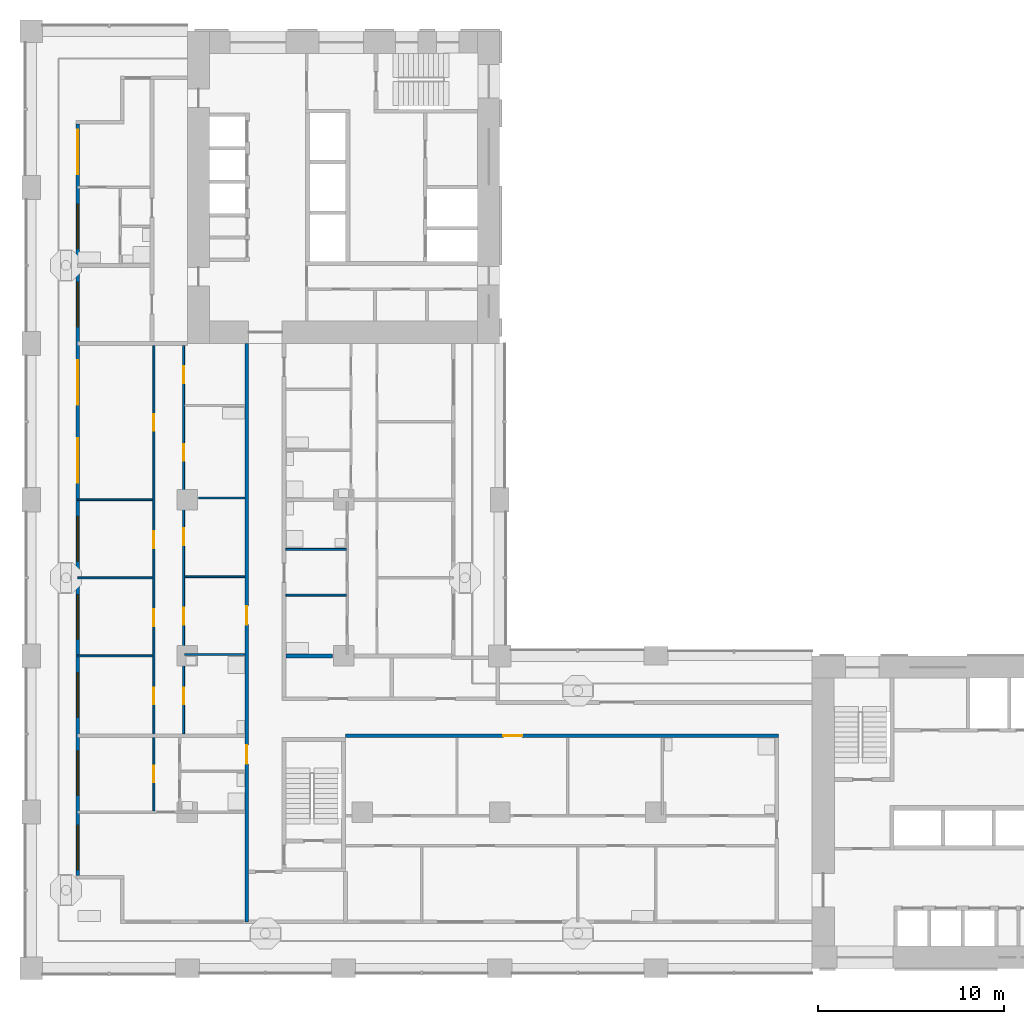
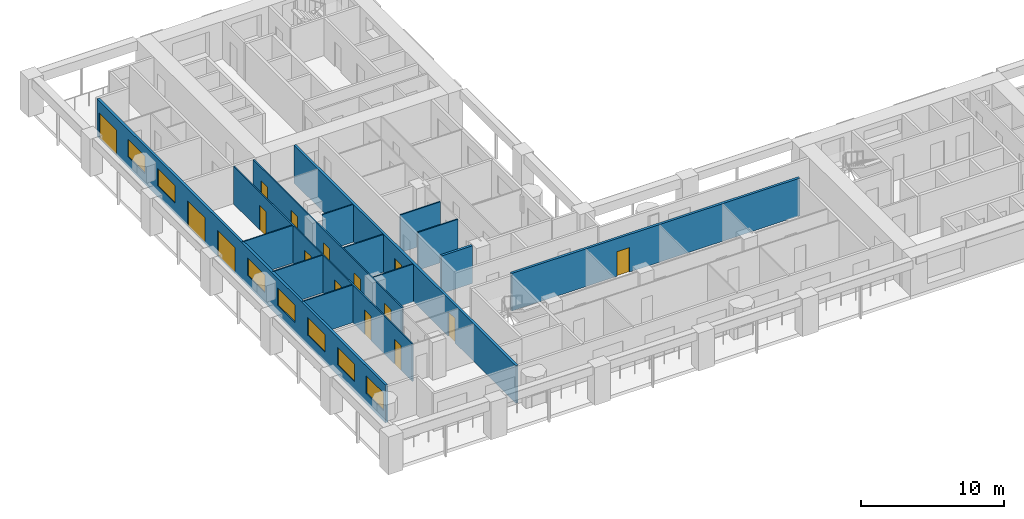
# One storey, part 3 of 18: 16 doors, 14 walls, 7 windows, 23 openings.
"""IFC4 building model written with IfcOpenShell, lengths in metres."""

from ifc_helpers import new_model, si_unit, direction, frame, frame_2d, origin, place, context, subcontext, project, spatial, rectangle, extrude, material, layer, layer_set, type_object, element, fill, save


model = new_model("IFC4")

# Units and contexts
model_context = context("Model", 3, precision=1e-05, world=origin(), true_north=direction((0.0, 1.0)))
body_context = subcontext(model_context, "Body", "Model", "MODEL_VIEW")
ifc_project = project(units=[si_unit("LENGTHUNIT", "METRE"), si_unit("AREAUNIT", "SQUARE_METRE"), si_unit("VOLUMEUNIT", "CUBIC_METRE"), si_unit("PLANEANGLEUNIT", "RADIAN"), si_unit("MASSUNIT", "GRAM", prefix="KILO")], contexts=[model_context])

# Site, building, storey
site_placement = place(None, origin())
site = spatial("IfcSite", under=ifc_project, at=site_placement, CompositionType="ELEMENT")
building_placement = place(site_placement, origin())
building = spatial("IfcBuilding", under=site, at=building_placement, Name="Vermilion Gate Residences", CompositionType="ELEMENT")
storey_placement = place(building_placement, frame((0.0, 0.0, 84.699951171875)))
storey = spatial("IfcBuildingStorey", under=building, at=storey_placement, Name="L20", CompositionType="ELEMENT", Elevation=84.699951171875)

# Wall, openings, doors, windows
ifc_material_1 = material(Name="Insulated steel stud wall with terracotta rainscreen", Category="masonry")
ifc_layer_1 = layer(ifc_material_1, 0.199951171875)
ifc_layer_set_1 = layer_set([ifc_layer_1], Name="EXTERNAL WALL 200 TERRACOTTA RAINSCREEN")
wall_type_1 = type_object("IfcWallType", Name="EXTERNAL WALL 200 TERRACOTTA RAINSCREEN", PredefinedType="SOLIDWALL", material=ifc_layer_set_1)
wall_1_placement = place(storey_placement, frame((2.5, 53.800048828125, 0.0), z_axis=(0.0, 0.0, 1.0), x_axis=(0.0, -1.0, 0.0)))
wall_1 = element("IfcWall", 1, at=wall_1_placement, inside=storey, type_object=wall_type_1, Name="External wall", PredefinedType="SOLIDWALL", context=body_context, shape_type="SweptSolid", body=[
    extrude(rectangle(XDim=40.400146484375, YDim=0.199951171875, at=frame_2d((20.2001953125, 0.0))), origin(), (0.0, 0.0, 1.0), 3.219970703125),
])
opening_1_placement = place(wall_1_placement, frame((37.699951171875, 0.0, 0.89990234375)))
opening_1 = element("IfcOpeningElement", 2, at=opening_1_placement, cuts=wall_1, Name="Opening WE20002", PredefinedType="OPENING", context=body_context, shape_type="SweptSolid", body=[
    extrude(rectangle(XDim=2.39990234375, YDim=1.5, at=frame_2d((1.199951171875, 0.75))), frame((0.0, 0.10986328125, 0.0), z_axis=(0.0, -1.0, 0.0), x_axis=(1.0, 0.0, 0.0)), (0.0, 0.0, 1.0), 0.219970703125),
])
opening_2_placement = place(wall_1_placement, frame((33.699951171875, 0.0, 0.89990234375)))
opening_2 = element("IfcOpeningElement", 3, at=opening_2_placement, cuts=wall_1, Name="Opening WE20003", PredefinedType="OPENING", context=body_context, shape_type="SweptSolid", body=[
    extrude(rectangle(XDim=2.39990234375, YDim=1.5, at=frame_2d((1.199951171875, 0.75))), frame((0.0, 0.10986328125, 0.0), z_axis=(0.0, -1.0, 0.0), x_axis=(1.0, 0.0, 0.0)), (0.0, 0.0, 1.0), 0.219970703125),
])
opening_3_placement = place(wall_1_placement, frame((29.5, 0.0, 0.89990234375)))
opening_3 = element("IfcOpeningElement", 4, at=opening_3_placement, cuts=wall_1, Name="Opening WE20004", PredefinedType="OPENING", context=body_context, shape_type="SweptSolid", body=[
    extrude(rectangle(XDim=2.39990234375, YDim=1.5, at=frame_2d((1.199951171875, 0.75))), frame((0.0, 0.10986328125, 0.0), z_axis=(0.0, -1.0, 0.0), x_axis=(1.0, 0.0, 0.0)), (0.0, 0.0, 1.0), 0.219970703125),
])
opening_4_placement = place(wall_1_placement, frame((25.300048828125, 0.0, 0.89990234375)))
opening_4 = element("IfcOpeningElement", 5, at=opening_4_placement, cuts=wall_1, Name="Opening WE20005", PredefinedType="OPENING", context=body_context, shape_type="SweptSolid", body=[
    extrude(rectangle(XDim=2.39990234375, YDim=1.5, at=frame_2d((1.199951171875, 0.75))), frame((0.0, 0.10986328125, 0.0), z_axis=(0.0, -1.0, 0.0), x_axis=(1.0, 0.0, 0.0)), (0.0, 0.0, 1.0), 0.219970703125),
])
opening_5_placement = place(wall_1_placement, frame((21.10009765625, 0.0, 0.89990234375)))
opening_5 = element("IfcOpeningElement", 6, at=opening_5_placement, cuts=wall_1, Name="Opening WE20006", PredefinedType="OPENING", context=body_context, shape_type="SweptSolid", body=[
    extrude(rectangle(XDim=2.39990234375, YDim=1.5, at=frame_2d((1.199951171875, 0.75))), frame((0.0, 0.10986328125, 0.0), z_axis=(0.0, -1.0, 0.0), x_axis=(1.0, 0.0, 0.0)), (0.0, 0.0, 1.0), 0.219970703125),
])
opening_6_placement = place(wall_1_placement, frame((16.89990234375, 0.0, 0.0)))
opening_6 = element("IfcOpeningElement", 7, at=opening_6_placement, cuts=wall_1, Name="Opening DE20007", PredefinedType="OPENING", context=body_context, shape_type="SweptSolid", body=[
    extrude(rectangle(XDim=2.39990234375, YDim=2.199951171875, at=frame_2d((1.199951171875, 1.10009765625))), frame((0.0, 0.10986328125, 0.0), z_axis=(0.0, -1.0, 0.0), x_axis=(1.0, 0.0, 0.0)), (0.0, 0.0, 1.0), 0.219970703125),
])
opening_7_placement = place(wall_1_placement, frame((12.699951171875, 0.0, 0.0)))
opening_7 = element("IfcOpeningElement", 8, at=opening_7_placement, cuts=wall_1, Name="Opening DE20008", PredefinedType="OPENING", context=body_context, shape_type="SweptSolid", body=[
    extrude(rectangle(XDim=2.39990234375, YDim=2.199951171875, at=frame_2d((1.199951171875, 1.10009765625))), frame((0.0, 0.10986328125, 0.0), z_axis=(0.0, -1.0, 0.0), x_axis=(1.0, 0.0, 0.0)), (0.0, 0.0, 1.0), 0.219970703125),
])
opening_8_placement = place(wall_1_placement, frame((8.5, 0.0, 0.89990234375)))
opening_8 = element("IfcOpeningElement", 9, at=opening_8_placement, cuts=wall_1, Name="Opening WE20009", PredefinedType="OPENING", context=body_context, shape_type="SweptSolid", body=[
    extrude(rectangle(XDim=2.39990234375, YDim=1.5, at=frame_2d((1.199951171875, 0.75))), frame((0.0, 0.10986328125, 0.0), z_axis=(0.0, -1.0, 0.0), x_axis=(1.0, 0.0, 0.0)), (0.0, 0.0, 1.0), 0.219970703125),
])
opening_9_placement = place(wall_1_placement, frame((4.300048828125, 0.0, 0.89990234375)))
opening_9 = element("IfcOpeningElement", 10, at=opening_9_placement, cuts=wall_1, Name="Opening WE20010", PredefinedType="OPENING", context=body_context, shape_type="SweptSolid", body=[
    extrude(rectangle(XDim=2.39990234375, YDim=1.5, at=frame_2d((1.199951171875, 0.75))), frame((0.0, 0.10986328125, 0.0), z_axis=(0.0, -1.0, 0.0), x_axis=(1.0, 0.0, 0.0)), (0.0, 0.0, 1.0), 0.219970703125),
])
opening_10_placement = place(wall_1_placement, frame((0.300048828125, 0.0, 0.0)))
opening_10 = element("IfcOpeningElement", 11, at=opening_10_placement, cuts=wall_1, Name="Opening DE20011", PredefinedType="OPENING", context=body_context, shape_type="SweptSolid", body=[
    extrude(rectangle(XDim=2.39990234375, YDim=2.199951171875, at=frame_2d((1.199951171875, 1.10009765625))), frame((0.0, 0.10986328125, 0.0), z_axis=(0.0, -1.0, 0.0), x_axis=(1.0, 0.0, 0.0)), (0.0, 0.0, 1.0), 0.219970703125),
])
ifc_material_2 = material(Name="Aluminium and clear glass", Category="aluminium")
door_type_1 = type_object("IfcDoorType", Name="SLIDING GLAZED DOOR 2400 X 2200", OperationType="DOUBLE_DOOR_SLIDING", PredefinedType="DOOR", material=ifc_material_2)
door_1_placement = place(opening_6_placement, origin())
door_1 = element("IfcDoor", 12, at=door_1_placement, inside=storey, type_object=door_type_1, Name="Loggia sliding door", OperationType="DOUBLE_DOOR_SLIDING", OverallHeight=2.199951171875, OverallWidth=2.39990234375, PredefinedType="DOOR", context=body_context, shape_type="SweptSolid", body=[
    extrude(rectangle(XDim=2.39990234375, YDim=2.199951171875, at=frame_2d((1.199951171875, 1.10009765625))), frame((0.0, 0.02490234375, 0.0), z_axis=(0.0, -1.0, 0.0), x_axis=(1.0, 0.0, 0.0)), (0.0, 0.0, 1.0), 0.050048828125),
])
fill(opening_6, door_1)
door_2_placement = place(opening_7_placement, origin())
door_2 = element("IfcDoor", 13, at=door_2_placement, inside=storey, type_object=door_type_1, Name="Loggia sliding door", OperationType="DOUBLE_DOOR_SLIDING", OverallHeight=2.199951171875, OverallWidth=2.39990234375, PredefinedType="DOOR", context=body_context, shape_type="SweptSolid", body=[
    extrude(rectangle(XDim=2.39990234375, YDim=2.199951171875, at=frame_2d((1.199951171875, 1.10009765625))), frame((0.0, 0.02490234375, 0.0), z_axis=(0.0, -1.0, 0.0), x_axis=(1.0, 0.0, 0.0)), (0.0, 0.0, 1.0), 0.050048828125),
])
fill(opening_7, door_2)
door_3_placement = place(opening_10_placement, origin())
door_3 = element("IfcDoor", 14, at=door_3_placement, inside=storey, type_object=door_type_1, Name="Loggia sliding door", OperationType="DOUBLE_DOOR_SLIDING", OverallHeight=2.199951171875, OverallWidth=2.39990234375, PredefinedType="DOOR", context=body_context, shape_type="SweptSolid", body=[
    extrude(rectangle(XDim=2.39990234375, YDim=2.199951171875, at=frame_2d((1.199951171875, 1.10009765625))), frame((0.0, 0.02490234375, 0.0), z_axis=(0.0, -1.0, 0.0), x_axis=(1.0, 0.0, 0.0)), (0.0, 0.0, 1.0), 0.050048828125),
])
fill(opening_10, door_3)
ifc_material_3 = material(Name="Aluminium and clear glass", Category="aluminium")
window_type = type_object("IfcWindowType", Name="WINDOW 2400 X 1500", PartitioningType="SINGLE_PANEL", PredefinedType="WINDOW", material=ifc_material_3)
window_1_placement = place(opening_1_placement, origin())
window_1 = element("IfcWindow", 15, at=window_1_placement, inside=storey, type_object=window_type, Name="Window", OverallHeight=1.5, OverallWidth=2.39990234375, PartitioningType="SINGLE_PANEL", PredefinedType="WINDOW", context=body_context, shape_type="SweptSolid", body=[
    extrude(rectangle(XDim=2.39990234375, YDim=1.5, at=frame_2d((1.199951171875, 0.75))), frame((0.0, 0.030029296875, 0.0), z_axis=(0.0, -1.0, 0.0), x_axis=(1.0, 0.0, 0.0)), (0.0, 0.0, 1.0), 0.06005859375),
])
fill(opening_1, window_1)
window_2_placement = place(opening_2_placement, origin())
window_2 = element("IfcWindow", 16, at=window_2_placement, inside=storey, type_object=window_type, Name="Window", OverallHeight=1.5, OverallWidth=2.39990234375, PartitioningType="SINGLE_PANEL", PredefinedType="WINDOW", context=body_context, shape_type="SweptSolid", body=[
    extrude(rectangle(XDim=2.39990234375, YDim=1.5, at=frame_2d((1.199951171875, 0.75))), frame((0.0, 0.030029296875, 0.0), z_axis=(0.0, -1.0, 0.0), x_axis=(1.0, 0.0, 0.0)), (0.0, 0.0, 1.0), 0.06005859375),
])
fill(opening_2, window_2)
window_3_placement = place(opening_3_placement, origin())
window_3 = element("IfcWindow", 17, at=window_3_placement, inside=storey, type_object=window_type, Name="Window", OverallHeight=1.5, OverallWidth=2.39990234375, PartitioningType="SINGLE_PANEL", PredefinedType="WINDOW", context=body_context, shape_type="SweptSolid", body=[
    extrude(rectangle(XDim=2.39990234375, YDim=1.5, at=frame_2d((1.199951171875, 0.75))), frame((0.0, 0.030029296875, 0.0), z_axis=(0.0, -1.0, 0.0), x_axis=(1.0, 0.0, 0.0)), (0.0, 0.0, 1.0), 0.06005859375),
])
fill(opening_3, window_3)
window_4_placement = place(opening_4_placement, origin())
window_4 = element("IfcWindow", 18, at=window_4_placement, inside=storey, type_object=window_type, Name="Window", OverallHeight=1.5, OverallWidth=2.39990234375, PartitioningType="SINGLE_PANEL", PredefinedType="WINDOW", context=body_context, shape_type="SweptSolid", body=[
    extrude(rectangle(XDim=2.39990234375, YDim=1.5, at=frame_2d((1.199951171875, 0.75))), frame((0.0, 0.030029296875, 0.0), z_axis=(0.0, -1.0, 0.0), x_axis=(1.0, 0.0, 0.0)), (0.0, 0.0, 1.0), 0.06005859375),
])
fill(opening_4, window_4)
window_5_placement = place(opening_5_placement, origin())
window_5 = element("IfcWindow", 19, at=window_5_placement, inside=storey, type_object=window_type, Name="Window", OverallHeight=1.5, OverallWidth=2.39990234375, PartitioningType="SINGLE_PANEL", PredefinedType="WINDOW", context=body_context, shape_type="SweptSolid", body=[
    extrude(rectangle(XDim=2.39990234375, YDim=1.5, at=frame_2d((1.199951171875, 0.75))), frame((0.0, 0.030029296875, 0.0), z_axis=(0.0, -1.0, 0.0), x_axis=(1.0, 0.0, 0.0)), (0.0, 0.0, 1.0), 0.06005859375),
])
fill(opening_5, window_5)
window_6_placement = place(opening_8_placement, origin())
window_6 = element("IfcWindow", 20, at=window_6_placement, inside=storey, type_object=window_type, Name="Window", OverallHeight=1.5, OverallWidth=2.39990234375, PartitioningType="SINGLE_PANEL", PredefinedType="WINDOW", context=body_context, shape_type="SweptSolid", body=[
    extrude(rectangle(XDim=2.39990234375, YDim=1.5, at=frame_2d((1.199951171875, 0.75))), frame((0.0, 0.030029296875, 0.0), z_axis=(0.0, -1.0, 0.0), x_axis=(1.0, 0.0, 0.0)), (0.0, 0.0, 1.0), 0.06005859375),
])
fill(opening_8, window_6)
window_7_placement = place(opening_9_placement, origin())
window_7 = element("IfcWindow", 21, at=window_7_placement, inside=storey, type_object=window_type, Name="Window", OverallHeight=1.5, OverallWidth=2.39990234375, PartitioningType="SINGLE_PANEL", PredefinedType="WINDOW", context=body_context, shape_type="SweptSolid", body=[
    extrude(rectangle(XDim=2.39990234375, YDim=1.5, at=frame_2d((1.199951171875, 0.75))), frame((0.0, 0.030029296875, 0.0), z_axis=(0.0, -1.0, 0.0), x_axis=(1.0, 0.0, 0.0)), (0.0, 0.0, 1.0), 0.06005859375),
])
fill(opening_9, window_7)

# Walls
ifc_material_4 = material(Name="Plasterboard on steel studs", Category="steel")
ifc_layer_2 = layer(ifc_material_4, 0.10009765625)
ifc_layer_set_2 = layer_set([ifc_layer_2], Name="PARTITION 100")
wall_type_2 = type_object("IfcWallType", Name="PARTITION 100", PredefinedType="PARTITIONING", material=ifc_layer_set_2)
wall_2_placement = place(storey_placement, frame((2.5, 25.199951171875, 0.0), z_axis=(0.0, 0.0, 1.0), x_axis=(1.0, 0.0, 0.0)))
element("IfcWall", 22, at=wall_2_placement, inside=storey, type_object=wall_type_2, Name="Partition", PredefinedType="PARTITIONING", context=body_context, shape_type="SweptSolid", body=[
    extrude(rectangle(XDim=4.050048828125, YDim=0.10009765625, at=frame_2d((2.02490234375, 0.0))), origin(), (0.0, 0.0, 1.0), 3.219970703125),
])
for number, where, z_axis, x_axis, name in (
    (23, (8.25, 25.280029296875, 0.0), (0.0, 0.0, 1.0), (1.0, 0.0, 0.0), "Partition"),
    (24, (13.699951171875, 28.467041015625, 0.0), (0.0, 0.0, 1.0), (1.0, 0.0, 0.0), "Partition"),
):
    element("IfcWall", number, at=place(storey_placement, frame(where, z_axis=z_axis, x_axis=x_axis)), inside=storey, type_object=wall_type_2, Name=name, PredefinedType="PARTITIONING", context=body_context, shape_type="SweptSolid", body=[
        extrude(rectangle(XDim=3.25, YDim=0.10009765625, at=frame_2d((1.625, 0.0))), origin(), (0.0, 0.0, 1.0), 3.219970703125),
    ])
wall_3_placement = place(storey_placement, frame((2.5, 29.39990234375, 0.0), z_axis=(0.0, 0.0, 1.0), x_axis=(1.0, 0.0, 0.0)))
element("IfcWall", 25, at=wall_3_placement, inside=storey, type_object=wall_type_2, Name="Partition", PredefinedType="PARTITIONING", context=body_context, shape_type="SweptSolid", body=[
    extrude(rectangle(XDim=4.050048828125, YDim=0.10009765625, at=frame_2d((2.02490234375, 0.0))), origin(), (0.0, 0.0, 1.0), 3.219970703125),
])
for number, where, z_axis, x_axis, name in (
    (26, (8.25, 29.4599609375, 0.0), (0.0, 0.0, 1.0), (1.0, 0.0, 0.0), "Partition"),
    (27, (13.699951171875, 30.93310546875, 0.0), (0.0, 0.0, 1.0), (1.0, 0.0, 0.0), "Partition"),
):
    element("IfcWall", number, at=place(storey_placement, frame(where, z_axis=z_axis, x_axis=x_axis)), inside=storey, type_object=wall_type_2, Name=name, PredefinedType="PARTITIONING", context=body_context, shape_type="SweptSolid", body=[
        extrude(rectangle(XDim=3.25, YDim=0.10009765625, at=frame_2d((1.625, 0.0))), origin(), (0.0, 0.0, 1.0), 3.219970703125),
    ])
wall_4_placement = place(storey_placement, frame((2.5, 33.60009765625, 0.0), z_axis=(0.0, 0.0, 1.0), x_axis=(1.0, 0.0, 0.0)))
element("IfcWall", 28, at=wall_4_placement, inside=storey, type_object=wall_type_2, Name="Partition", PredefinedType="PARTITIONING", context=body_context, shape_type="SweptSolid", body=[
    extrude(rectangle(XDim=4.050048828125, YDim=0.10009765625, at=frame_2d((2.02490234375, 0.0))), origin(), (0.0, 0.0, 1.0), 3.219970703125),
])
wall_5_placement = place(storey_placement, frame((9.0, 33.68994140625, 0.0), z_axis=(0.0, 0.0, 1.0), x_axis=(1.0, 0.0, 0.0)))
element("IfcWall", 29, at=wall_5_placement, inside=storey, type_object=wall_type_2, Name="Partition", PredefinedType="PARTITIONING", context=body_context, shape_type="SweptSolid", body=[
    extrude(rectangle(XDim=2.5, YDim=0.10009765625, at=frame_2d((1.25, 0.0))), origin(), (0.0, 0.0, 1.0), 3.219970703125),
])

# Wall, openings, doors
wall_6_placement = place(storey_placement, frame((6.60009765625, 16.85009765625, 0.0), z_axis=(0.0, 0.0, 1.0), x_axis=(0.0, 1.0, 0.0)))
wall_6 = element("IfcWall", 30, at=wall_6_placement, inside=storey, type_object=wall_type_2, Name="Partition", PredefinedType="PARTITIONING", context=body_context, shape_type="SweptSolid", body=[
    extrude(rectangle(XDim=25.0498046875, YDim=0.10009765625, at=frame_2d((12.52490234375, 0.0))), origin(), (0.0, 0.0, 1.0), 3.219970703125),
])
opening_11_placement = place(wall_6_placement, frame((1.550048828125, 0.0, 0.0)))
opening_11 = element("IfcOpeningElement", 31, at=opening_11_placement, cuts=wall_6, Name="Opening DA19019", PredefinedType="OPENING", context=body_context, shape_type="SweptSolid", body=[
    extrude(rectangle(XDim=0.89990234375, YDim=2.10009765625, at=frame_2d((0.449951171875, 1.050048828125))), frame((0.0, 0.06005859375, 0.0), z_axis=(0.0, -1.0, 0.0), x_axis=(1.0, 0.0, 0.0)), (0.0, 0.0, 1.0), 0.1201171875),
])
opening_12_placement = place(wall_6_placement, frame((5.75, 0.0, 0.0)))
opening_12 = element("IfcOpeningElement", 32, at=opening_12_placement, cuts=wall_6, Name="Opening DA19020", PredefinedType="OPENING", context=body_context, shape_type="SweptSolid", body=[
    extrude(rectangle(XDim=0.89990234375, YDim=2.10009765625, at=frame_2d((0.449951171875, 1.050048828125))), frame((0.0, 0.06005859375, 0.0), z_axis=(0.0, -1.0, 0.0), x_axis=(1.0, 0.0, 0.0)), (0.0, 0.0, 1.0), 0.1201171875),
])
opening_13_placement = place(wall_6_placement, frame((9.949951171875, 0.0, 0.0)))
opening_13 = element("IfcOpeningElement", 33, at=opening_13_placement, cuts=wall_6, Name="Opening DA19021", PredefinedType="OPENING", context=body_context, shape_type="SweptSolid", body=[
    extrude(rectangle(XDim=0.89990234375, YDim=2.10009765625, at=frame_2d((0.449951171875, 1.050048828125))), frame((0.0, 0.06005859375, 0.0), z_axis=(0.0, -1.0, 0.0), x_axis=(1.0, 0.0, 0.0)), (0.0, 0.0, 1.0), 0.1201171875),
])
opening_14_placement = place(wall_6_placement, frame((14.14990234375, 0.0, 0.0)))
opening_14 = element("IfcOpeningElement", 34, at=opening_14_placement, cuts=wall_6, Name="Opening DA19022", PredefinedType="OPENING", context=body_context, shape_type="SweptSolid", body=[
    extrude(rectangle(XDim=0.89990234375, YDim=2.10009765625, at=frame_2d((0.449951171875, 1.050048828125))), frame((0.0, 0.06005859375, 0.0), z_axis=(0.0, -1.0, 0.0), x_axis=(1.0, 0.0, 0.0)), (0.0, 0.0, 1.0), 0.1201171875),
])
opening_15_placement = place(wall_6_placement, frame((20.449951171875, 0.0, 0.0)))
opening_15 = element("IfcOpeningElement", 35, at=opening_15_placement, cuts=wall_6, Name="Opening DA19023", PredefinedType="OPENING", context=body_context, shape_type="SweptSolid", body=[
    extrude(rectangle(XDim=0.89990234375, YDim=2.10009765625, at=frame_2d((0.449951171875, 1.050048828125))), frame((0.0, 0.06005859375, 0.0), z_axis=(0.0, -1.0, 0.0), x_axis=(1.0, 0.0, 0.0)), (0.0, 0.0, 1.0), 0.1201171875),
])
ifc_material_5 = material(Name="Timber", Category="wood")
door_type_2 = type_object("IfcDoorType", Name="INTERIOR DOOR 900 X 2100", OperationType="SINGLE_SWING_LEFT", PredefinedType="DOOR", material=ifc_material_5)
door_4_placement = place(opening_11_placement, origin())
door_4 = element("IfcDoor", 36, at=door_4_placement, inside=storey, type_object=door_type_2, Name="Interior door", OperationType="SINGLE_SWING_RIGHT", OverallHeight=2.10009765625, OverallWidth=0.89990234375, PredefinedType="DOOR", context=body_context, shape_type="SweptSolid", body=[
    extrude(rectangle(XDim=0.89990234375, YDim=2.10009765625, at=frame_2d((0.449951171875, 1.050048828125))), frame((0.0, 0.02490234375, 0.0), z_axis=(0.0, -1.0, 0.0), x_axis=(1.0, 0.0, 0.0)), (0.0, 0.0, 1.0), 0.050048828125),
])
fill(opening_11, door_4)
door_5_placement = place(opening_12_placement, origin())
door_5 = element("IfcDoor", 37, at=door_5_placement, inside=storey, type_object=door_type_2, Name="Interior door", OperationType="SINGLE_SWING_LEFT", OverallHeight=2.10009765625, OverallWidth=0.89990234375, PredefinedType="DOOR", context=body_context, shape_type="SweptSolid", body=[
    extrude(rectangle(XDim=0.89990234375, YDim=2.10009765625, at=frame_2d((0.449951171875, 1.050048828125))), frame((0.0, 0.02490234375, 0.0), z_axis=(0.0, -1.0, 0.0), x_axis=(1.0, 0.0, 0.0)), (0.0, 0.0, 1.0), 0.050048828125),
])
fill(opening_12, door_5)
door_6_placement = place(opening_13_placement, origin())
door_6 = element("IfcDoor", 38, at=door_6_placement, inside=storey, type_object=door_type_2, Name="Interior door", OperationType="SINGLE_SWING_LEFT", OverallHeight=2.10009765625, OverallWidth=0.89990234375, PredefinedType="DOOR", context=body_context, shape_type="SweptSolid", body=[
    extrude(rectangle(XDim=0.89990234375, YDim=2.10009765625, at=frame_2d((0.449951171875, 1.050048828125))), frame((0.0, 0.02490234375, 0.0), z_axis=(0.0, -1.0, 0.0), x_axis=(1.0, 0.0, 0.0)), (0.0, 0.0, 1.0), 0.050048828125),
])
fill(opening_13, door_6)
door_7_placement = place(opening_14_placement, origin())
door_7 = element("IfcDoor", 39, at=door_7_placement, inside=storey, type_object=door_type_2, Name="Interior door", OperationType="SINGLE_SWING_LEFT", OverallHeight=2.10009765625, OverallWidth=0.89990234375, PredefinedType="DOOR", context=body_context, shape_type="SweptSolid", body=[
    extrude(rectangle(XDim=0.89990234375, YDim=2.10009765625, at=frame_2d((0.449951171875, 1.050048828125))), frame((0.0, 0.02490234375, 0.0), z_axis=(0.0, -1.0, 0.0), x_axis=(1.0, 0.0, 0.0)), (0.0, 0.0, 1.0), 0.050048828125),
])
fill(opening_14, door_7)
door_8_placement = place(opening_15_placement, origin())
door_8 = element("IfcDoor", 40, at=door_8_placement, inside=storey, type_object=door_type_2, Name="Interior door", OperationType="SINGLE_SWING_LEFT", OverallHeight=2.10009765625, OverallWidth=0.89990234375, PredefinedType="DOOR", context=body_context, shape_type="SweptSolid", body=[
    extrude(rectangle(XDim=0.89990234375, YDim=2.10009765625, at=frame_2d((0.449951171875, 1.050048828125))), frame((0.0, 0.02490234375, 0.0), z_axis=(0.0, -1.0, 0.0), x_axis=(1.0, 0.0, 0.0)), (0.0, 0.0, 1.0), 0.050048828125),
])
fill(opening_15, door_8)

wall_7_placement = place(storey_placement, frame((8.199951171875, 21.0, 0.0), z_axis=(0.0, 0.0, 1.0), x_axis=(0.0, 1.0, 0.0)))
wall_7 = element("IfcWall", 41, at=wall_7_placement, inside=storey, type_object=wall_type_2, Name="Partition", PredefinedType="PARTITIONING", context=body_context, shape_type="SweptSolid", body=[
    extrude(rectangle(XDim=20.89990234375, YDim=0.10009765625, at=frame_2d((10.449951171875, 0.0))), origin(), (0.0, 0.0, 1.0), 3.219970703125),
])
opening_16_placement = place(wall_7_placement, frame((5.8798828125, 0.0, 0.0)))
opening_16 = element("IfcOpeningElement", 42, at=opening_16_placement, cuts=wall_7, Name="Opening DA19026", PredefinedType="OPENING", context=body_context, shape_type="SweptSolid", body=[
    extrude(rectangle(XDim=0.89990234375, YDim=2.10009765625, at=frame_2d((0.449951171875, 1.050048828125))), frame((0.0, 0.06005859375, 0.0), z_axis=(0.0, -1.0, 0.0), x_axis=(1.0, 0.0, 0.0)), (0.0, 0.0, 1.0), 0.1201171875),
])
opening_17_placement = place(wall_7_placement, frame((1.60009765625, 0.0, 0.0)))
opening_17 = element("IfcOpeningElement", 43, at=opening_17_placement, cuts=wall_7, Name="Opening DA19027", PredefinedType="OPENING", context=body_context, shape_type="SweptSolid", body=[
    extrude(rectangle(XDim=0.89990234375, YDim=2.10009765625, at=frame_2d((0.449951171875, 1.050048828125))), frame((0.0, 0.06005859375, 0.0), z_axis=(0.0, -1.0, 0.0), x_axis=(1.0, 0.0, 0.0)), (0.0, 0.0, 1.0), 0.1201171875),
])
opening_18_placement = place(wall_7_placement, frame((10.159912109375, 0.0, 0.0)))
opening_18 = element("IfcOpeningElement", 44, at=opening_18_placement, cuts=wall_7, Name="Opening DA19028", PredefinedType="OPENING", context=body_context, shape_type="SweptSolid", body=[
    extrude(rectangle(XDim=0.89990234375, YDim=2.10009765625, at=frame_2d((0.449951171875, 1.050048828125))), frame((0.0, 0.06005859375, 0.0), z_axis=(0.0, -1.0, 0.0), x_axis=(1.0, 0.0, 0.0)), (0.0, 0.0, 1.0), 0.1201171875),
])
opening_19_placement = place(wall_7_placement, frame((14.68994140625, 0.0, 0.0)))
opening_19 = element("IfcOpeningElement", 45, at=opening_19_placement, cuts=wall_7, Name="Opening DA19029", PredefinedType="OPENING", context=body_context, shape_type="SweptSolid", body=[
    extrude(rectangle(XDim=0.89990234375, YDim=2.10009765625, at=frame_2d((0.449951171875, 1.050048828125))), frame((0.0, 0.06005859375, 0.0), z_axis=(0.0, -1.0, 0.0), x_axis=(1.0, 0.0, 0.0)), (0.0, 0.0, 1.0), 0.1201171875),
])
opening_20_placement = place(wall_7_placement, frame((18.8701171875, 0.0, 0.0)))
opening_20 = element("IfcOpeningElement", 46, at=opening_20_placement, cuts=wall_7, Name="Opening DA19030", PredefinedType="OPENING", context=body_context, shape_type="SweptSolid", body=[
    extrude(rectangle(XDim=0.89990234375, YDim=2.10009765625, at=frame_2d((0.449951171875, 1.050048828125))), frame((0.0, 0.06005859375, 0.0), z_axis=(0.0, -1.0, 0.0), x_axis=(1.0, 0.0, 0.0)), (0.0, 0.0, 1.0), 0.1201171875),
])
door_9_placement = place(opening_16_placement, frame((0.89990234375, 0.0, 0.0), z_axis=(0.0, 0.0, 1.0), x_axis=(-1.0, 0.0, 0.0)))
door_9 = element("IfcDoor", 47, at=door_9_placement, inside=storey, type_object=door_type_2, Name="Interior door", OperationType="SINGLE_SWING_RIGHT", OverallHeight=2.10009765625, OverallWidth=0.89990234375, PredefinedType="DOOR", context=body_context, shape_type="SweptSolid", body=[
    extrude(rectangle(XDim=0.89990234375, YDim=2.10009765625, at=frame_2d((0.449951171875, 1.050048828125))), frame((0.0, 0.02490234375, 0.0), z_axis=(0.0, -1.0, 0.0), x_axis=(1.0, 0.0, 0.0)), (0.0, 0.0, 1.0), 0.050048828125),
])
fill(opening_16, door_9)
door_10_placement = place(opening_17_placement, frame((0.89990234375, 0.0, 0.0), z_axis=(0.0, 0.0, 1.0), x_axis=(-1.0, 0.0, 0.0)))
door_10 = element("IfcDoor", 48, at=door_10_placement, inside=storey, type_object=door_type_2, Name="Interior door", OperationType="SINGLE_SWING_LEFT", OverallHeight=2.10009765625, OverallWidth=0.89990234375, PredefinedType="DOOR", context=body_context, shape_type="SweptSolid", body=[
    extrude(rectangle(XDim=0.89990234375, YDim=2.10009765625, at=frame_2d((0.449951171875, 1.050048828125))), frame((0.0, 0.02490234375, 0.0), z_axis=(0.0, -1.0, 0.0), x_axis=(1.0, 0.0, 0.0)), (0.0, 0.0, 1.0), 0.050048828125),
])
fill(opening_17, door_10)
door_11_placement = place(opening_18_placement, frame((0.89990234375, 0.0, 0.0), z_axis=(0.0, 0.0, 1.0), x_axis=(-1.0, 0.0, 0.0)))
door_11 = element("IfcDoor", 49, at=door_11_placement, inside=storey, type_object=door_type_2, Name="Interior door", OperationType="SINGLE_SWING_LEFT", OverallHeight=2.10009765625, OverallWidth=0.89990234375, PredefinedType="DOOR", context=body_context, shape_type="SweptSolid", body=[
    extrude(rectangle(XDim=0.89990234375, YDim=2.10009765625, at=frame_2d((0.449951171875, 1.050048828125))), frame((0.0, 0.02490234375, 0.0), z_axis=(0.0, -1.0, 0.0), x_axis=(1.0, 0.0, 0.0)), (0.0, 0.0, 1.0), 0.050048828125),
])
fill(opening_18, door_11)
door_12_placement = place(opening_19_placement, frame((0.89990234375, 0.0, 0.0), z_axis=(0.0, 0.0, 1.0), x_axis=(-1.0, 0.0, 0.0)))
door_12 = element("IfcDoor", 50, at=door_12_placement, inside=storey, type_object=door_type_2, Name="Interior door", OperationType="SINGLE_SWING_RIGHT", OverallHeight=2.10009765625, OverallWidth=0.89990234375, PredefinedType="DOOR", context=body_context, shape_type="SweptSolid", body=[
    extrude(rectangle(XDim=0.89990234375, YDim=2.10009765625, at=frame_2d((0.449951171875, 1.050048828125))), frame((0.0, 0.02490234375, 0.0), z_axis=(0.0, -1.0, 0.0), x_axis=(1.0, 0.0, 0.0)), (0.0, 0.0, 1.0), 0.050048828125),
])
fill(opening_19, door_12)
door_13_placement = place(opening_20_placement, frame((0.89990234375, 0.0, 0.0), z_axis=(0.0, 0.0, 1.0), x_axis=(-1.0, 0.0, 0.0)))
door_13 = element("IfcDoor", 51, at=door_13_placement, inside=storey, type_object=door_type_2, Name="Interior door", OperationType="SINGLE_SWING_LEFT", OverallHeight=2.10009765625, OverallWidth=0.89990234375, PredefinedType="DOOR", context=body_context, shape_type="SweptSolid", body=[
    extrude(rectangle(XDim=0.89990234375, YDim=2.10009765625, at=frame_2d((0.449951171875, 1.050048828125))), frame((0.0, 0.02490234375, 0.0), z_axis=(0.0, -1.0, 0.0), x_axis=(1.0, 0.0, 0.0)), (0.0, 0.0, 1.0), 0.050048828125),
])
fill(opening_20, door_13)

# Wall, opening, door
ifc_material_6 = material(Name="Fire-rated plasterboard on steel studs", Category="steel")
ifc_layer_3 = layer(ifc_material_6, 0.199951171875)
ifc_layer_set_3 = layer_set([ifc_layer_3], Name="PARTY WALL 200 EI 120")
wall_type_3 = type_object("IfcWallType", Name="PARTY WALL 200 EI 120", PredefinedType="PARTITIONING", material=ifc_layer_set_3)
wall_8_placement = place(storey_placement, frame((16.89990234375, 20.89990234375, 0.0), z_axis=(0.0, 0.0, 1.0), x_axis=(1.0, 0.0, 0.0)))
wall_8 = element("IfcWall", 52, at=wall_8_placement, inside=storey, type_object=wall_type_3, Name="Party and corridor wall", PredefinedType="PARTITIONING", context=body_context, shape_type="SweptSolid", body=[
    extrude(rectangle(XDim=23.300048828125, YDim=0.199951171875, at=frame_2d((11.64990234375, 0.0))), origin(), (0.0, 0.0, 1.0), 3.219970703125),
])
opening_21_placement = place(wall_8_placement, frame((8.5, 0.0, 0.0)))
opening_21 = element("IfcOpeningElement", 53, at=opening_21_placement, cuts=wall_8, Name="Opening DA19011", PredefinedType="OPENING", context=body_context, shape_type="SweptSolid", body=[
    extrude(rectangle(XDim=1.0, YDim=2.10009765625, at=frame_2d((0.5, 1.050048828125))), frame((0.0, 0.10986328125, 0.0), z_axis=(0.0, -1.0, 0.0), x_axis=(1.0, 0.0, 0.0)), (0.0, 0.0, 1.0), 0.219970703125),
])
ifc_material_7 = material(Name="Steel", Category="steel")
door_type_3 = type_object("IfcDoorType", Name="ENTRANCE DOOR 1000 X 2100 FD30", OperationType="SINGLE_SWING_LEFT", PredefinedType="DOOR", material=ifc_material_7)
door_14_placement = place(opening_21_placement, frame((1.0, 0.0, 0.0), z_axis=(0.0, 0.0, 1.0), x_axis=(-1.0, 0.0, 0.0)))
door_14 = element("IfcDoor", 54, at=door_14_placement, inside=storey, type_object=door_type_3, Name="Entrance door", OperationType="SINGLE_SWING_LEFT", OverallHeight=2.10009765625, OverallWidth=1.0, PredefinedType="DOOR", context=body_context, shape_type="SweptSolid", body=[
    extrude(rectangle(XDim=1.0, YDim=2.10009765625, at=frame_2d((0.5, 1.050048828125))), frame((0.0, 0.02490234375, 0.0), z_axis=(0.0, -1.0, 0.0), x_axis=(1.0, 0.0, 0.0)), (0.0, 0.0, 1.0), 0.050048828125),
])
fill(opening_21, door_14)

# Wall
wall_9_placement = place(storey_placement, frame((13.699951171875, 25.199951171875, 0.0), z_axis=(0.0, 0.0, 1.0), x_axis=(1.0, 0.0, 0.0)))
element("IfcWall", 55, at=wall_9_placement, inside=storey, type_object=wall_type_3, Name="Party and corridor wall", PredefinedType="PARTITIONING", context=body_context, shape_type="SweptSolid", body=[
    extrude(rectangle(XDim=2.5, YDim=0.199951171875, at=frame_2d((1.25, 0.0))), origin(), (0.0, 0.0, 1.0), 3.219970703125),
])

# Wall, openings, doors
wall_10_placement = place(storey_placement, frame((11.60009765625, 10.89990234375, 0.0), z_axis=(0.0, 0.0, 1.0), x_axis=(0.0, 1.0, 0.0)))
wall_10 = element("IfcWall", 56, at=wall_10_placement, inside=storey, type_object=wall_type_3, Name="Party and corridor wall", PredefinedType="PARTITIONING", context=body_context, shape_type="SweptSolid", body=[
    extrude(rectangle(XDim=31.10009765625, YDim=0.199951171875, at=frame_2d((15.550048828125, 0.0))), origin(), (0.0, 0.0, 1.0), 3.219970703125),
])
opening_22_placement = place(wall_10_placement, frame((8.5, 0.0, 0.0)))
opening_22 = element("IfcOpeningElement", 57, at=opening_22_placement, cuts=wall_10, Name="Opening DA19031", PredefinedType="OPENING", context=body_context, shape_type="SweptSolid", body=[
    extrude(rectangle(XDim=1.0, YDim=2.10009765625, at=frame_2d((0.5, 1.050048828125))), frame((0.0, 0.10986328125, 0.0), z_axis=(0.0, -1.0, 0.0), x_axis=(1.0, 0.0, 0.0)), (0.0, 0.0, 1.0), 0.219970703125),
])
opening_23_placement = place(wall_10_placement, frame((15.97998046875, 0.0, 0.0)))
opening_23 = element("IfcOpeningElement", 58, at=opening_23_placement, cuts=wall_10, Name="Opening DA19032", PredefinedType="OPENING", context=body_context, shape_type="SweptSolid", body=[
    extrude(rectangle(XDim=1.0, YDim=2.10009765625, at=frame_2d((0.5, 1.050048828125))), frame((0.0, 0.10986328125, 0.0), z_axis=(0.0, -1.0, 0.0), x_axis=(1.0, 0.0, 0.0)), (0.0, 0.0, 1.0), 0.219970703125),
])
door_15_placement = place(opening_22_placement, origin())
door_15 = element("IfcDoor", 59, at=door_15_placement, inside=storey, type_object=door_type_3, Name="Entrance door", OperationType="SINGLE_SWING_LEFT", OverallHeight=2.10009765625, OverallWidth=1.0, PredefinedType="DOOR", context=body_context, shape_type="SweptSolid", body=[
    extrude(rectangle(XDim=1.0, YDim=2.10009765625, at=frame_2d((0.5, 1.050048828125))), frame((0.0, 0.02490234375, 0.0), z_axis=(0.0, -1.0, 0.0), x_axis=(1.0, 0.0, 0.0)), (0.0, 0.0, 1.0), 0.050048828125),
])
fill(opening_22, door_15)
door_16_placement = place(opening_23_placement, origin())
door_16 = element("IfcDoor", 60, at=door_16_placement, inside=storey, type_object=door_type_3, Name="Entrance door", OperationType="SINGLE_SWING_RIGHT", OverallHeight=2.10009765625, OverallWidth=1.0, PredefinedType="DOOR", context=body_context, shape_type="SweptSolid", body=[
    extrude(rectangle(XDim=1.0, YDim=2.10009765625, at=frame_2d((0.5, 1.050048828125))), frame((0.0, 0.02490234375, 0.0), z_axis=(0.0, -1.0, 0.0), x_axis=(1.0, 0.0, 0.0)), (0.0, 0.0, 1.0), 0.050048828125),
])
fill(opening_23, door_16)

save(model, "model.ifc")
